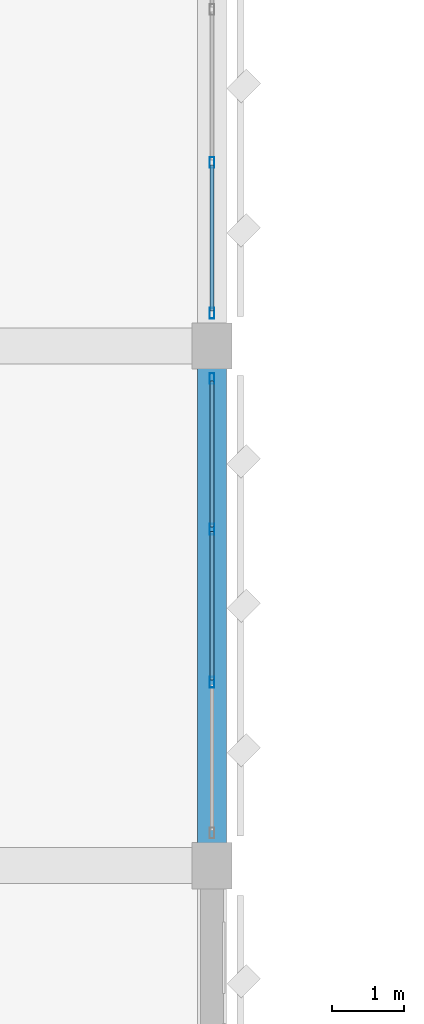
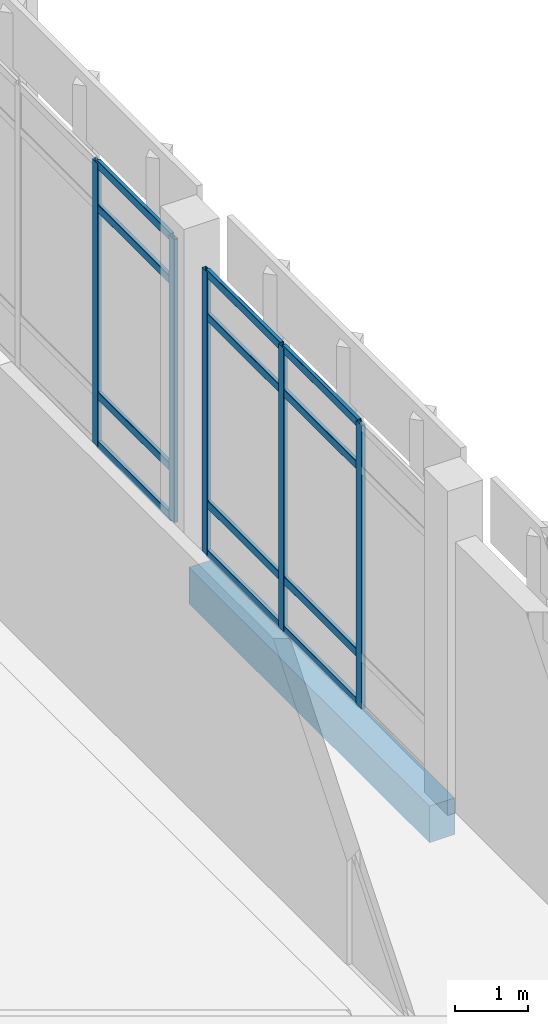
# One storey, part 55 of 180: 17 members, 1 beam, 2 elements without a shape of their own.
"""IFC4 building model written with IfcOpenShell, lengths in metres."""

import ifcopenshell
import ifcopenshell.guid

model = None  # the IFC model being written
_history = None  # IfcOwnerHistory: only IFC2X3 demands one
_inside = {}  # id of a spatial element -> (the spatial element, [elements in it])
_under = {}  # id of a project, library or spatial element -> (it, [spatial elements below it])
_declared = {}  # id of a project -> (the project, [libraries it declares])
_typed = {}  # id of a type object -> (the type object, [elements of that type])
_made_of = {}  # id of a material, layer set ... -> (it, [elements and type objects made of it])


def new_model(schema):
    """Start an empty IFC model of exactly this schema.

    Asked for "IFC4X3", IfcOpenShell would pick the latest addendum, in which some entities
    have other attributes; the version numbers below select the first issue.
    IFC2X3 requires an IfcOwnerHistory on every rooted entity: one is made here for all.
    """
    global model, _history
    if schema == "IFC4X3":
        model = ifcopenshell.file(schema_version=(4, 3, 0, 0))
    else:
        model = ifcopenshell.file(schema=schema)
    _inside.clear()
    _under.clear()
    _declared.clear()
    _typed.clear()
    _made_of.clear()
    _history = None
    if model.schema == "IFC2X3":
        org = make("IfcOrganization", Name="unknown")
        user = make(
            "IfcPersonAndOrganization",
            ThePerson=make("IfcPerson", FamilyName="unknown"),
            TheOrganization=org,
        )
        app = make(
            "IfcApplication",
            ApplicationDeveloper=org,
            Version="unknown",
            ApplicationFullName="unknown",
            ApplicationIdentifier="unknown",
        )
        _history = make(
            "IfcOwnerHistory",
            OwningUser=user,
            OwningApplication=app,
            ChangeAction="ADDED",
            CreationDate=0,
        )
    return model


def make(cls, **values):
    """One entity of the class cls with the attributes given. An attribute that is None is left unset."""
    return model.create_entity(
        cls, **{name: value for name, value in values.items() if value is not None}
    )


def rooted(cls, **values):
    """An entity with a GlobalId (a new one), such as an element, a storey or a relation."""
    return make(cls, GlobalId=ifcopenshell.guid.new(), OwnerHistory=_history, **values)


def si_unit(unit_type, name, prefix=None):
    """IfcSIUnit, for example si_unit("LENGTHUNIT", "METRE", prefix="MILLI")."""
    return make("IfcSIUnit", UnitType=unit_type, Prefix=prefix, Name=name)


def assignment(units):
    """IfcUnitAssignment: the units of a project."""
    return None if units is None else make("IfcUnitAssignment", Units=units)


def point(xyz):
    """IfcCartesianPoint."""
    return None if xyz is None else make("IfcCartesianPoint", Coordinates=xyz)


def direction(xyz):
    """IfcDirection."""
    return None if xyz is None else make("IfcDirection", DirectionRatios=xyz)


def frame(location, z_axis=None, x_axis=None):
    """IfcAxis2Placement3D, a coordinate frame: its origin and axes. An axis left out is left unset."""
    return make(
        "IfcAxis2Placement3D",
        Location=point(location),
        Axis=direction(z_axis),
        RefDirection=direction(x_axis),
    )


def frame_2d(location, x_axis=None):
    """IfcAxis2Placement2D, a coordinate frame in the plane: its origin and x axis."""
    return make(
        "IfcAxis2Placement2D", Location=point(location), RefDirection=direction(x_axis)
    )


def origin():
    """The frame at (0, 0, 0) with its axes left unset."""
    return frame((0.0, 0.0, 0.0))


def origin_2d():
    """The frame at (0, 0) in the plane with its x axis left unset."""
    return frame_2d((0.0, 0.0))


def place(relative_to, where):
    """IfcLocalPlacement: puts the frame where relative to a parent placement (None: the world)."""
    return make(
        "IfcLocalPlacement", PlacementRelTo=relative_to, RelativePlacement=where
    )


def context(
    kind, dimensions, precision=None, world=None, true_north=None, identifier=None
):
    """IfcGeometricRepresentationContext, for example the 3D "Model" context."""
    return make(
        "IfcGeometricRepresentationContext",
        ContextIdentifier=identifier,
        ContextType=kind,
        CoordinateSpaceDimension=dimensions,
        Precision=precision,
        WorldCoordinateSystem=world,
        TrueNorth=true_north,
    )


def subcontext(parent, identifier, kind, view, scale=None):
    """IfcGeometricRepresentationSubContext, for example "Body" below "Model"."""
    return make(
        "IfcGeometricRepresentationSubContext",
        ContextIdentifier=identifier,
        ContextType=kind,
        ParentContext=parent,
        TargetScale=scale,
        TargetView=view,
    )


def project(units=None, contexts=None):
    """IfcProject with its units and contexts."""
    return rooted(
        "IfcProject",
        Name="project",
        RepresentationContexts=contexts,
        UnitsInContext=assignment(units),
    )


def spatial(cls, under=None, at=None, **own):
    """A site, building, storey or space (cls), placed at a placement, below another one or the project."""
    s = rooted(cls, ObjectPlacement=at, **own)
    if under is not None:
        _under.setdefault(under.id(), (under, []))[1].append(s)
    return s


def profile(cls, at=None, kind="AREA", **sizes):
    """A parametric profile (cls). Its sizes go by their IFC names, for example OverallWidth=200.0."""
    return make(cls, ProfileType=kind, Position=at, **sizes)


def rectangle(**sizes):
    """IfcRectangleProfileDef."""
    return profile("IfcRectangleProfileDef", **sizes)


def hollow_rectangle(**sizes):
    """IfcRectangleHollowProfileDef."""
    return profile("IfcRectangleHollowProfileDef", **sizes)


def extrude(swept, where, along, depth):
    """IfcExtrudedAreaSolid: the profile swept, set in the frame where, extruded along a direction by depth."""
    return make(
        "IfcExtrudedAreaSolid",
        SweptArea=swept,
        Position=where,
        ExtrudedDirection=direction(along),
        Depth=depth,
    )


def shape(context_of_items, identifier, shape_type, items):
    """IfcShapeRepresentation: the items that make up one representation, for example the "Body"."""
    return make(
        "IfcShapeRepresentation",
        ContextOfItems=context_of_items,
        RepresentationIdentifier=identifier,
        RepresentationType=shape_type,
        Items=items,
    )


def material(Name=None, Category=None):
    """IfcMaterial."""
    return make("IfcMaterial", Name=Name, Category=Category)


def material_profile(
    of_material, cross_section, Name=None, Category=None, Priority=None
):
    """IfcMaterialProfile: a cross section and its material."""
    return make(
        "IfcMaterialProfile",
        Name=Name,
        Material=of_material,
        Profile=cross_section,
        Priority=Priority,
        Category=Category,
    )


def profile_set(profiles, Name=None, composite=None):
    """IfcMaterialProfileSet."""
    return make(
        "IfcMaterialProfileSet",
        Name=Name,
        MaterialProfiles=profiles,
        CompositeProfile=composite,
    )


def made_of(thing, what):
    """Note that an element or type object is made of a material, layer set ...; save() writes the relation."""
    if what is not None:
        _made_of.setdefault(what.id(), (what, []))[1].append(thing)
    return thing


def type_object(cls, material=None, **own):
    """A type object (cls), such as IfcWallType, which elements share."""
    return made_of(rooted(cls, **own), material)


def element(
    cls,
    number,
    at=None,
    inside=None,
    cuts=None,
    type_object=None,
    material=None,
    context=None,
    identifier="Body",
    shape_type=None,
    held_by="IfcProductDefinitionShape",
    body=None,
    shapes=None,
    **own,
):
    """One element of the class cls, such as IfcWall. Its Tag is "e" and its number.

    at: its placement. inside: the storey or other place that contains it. cuts: it is an
    opening in that element (IfcRelVoidsElement). A single representation is given by context,
    identifier, shape_type and body (its items); several are given by shapes. held_by: the class
    of the entity that holds the representations. save() writes the other relations.
    """
    e = rooted(cls, Tag="e%d" % number, ObjectPlacement=at, **own)
    if body is not None:
        shapes = [shape(context, identifier, shape_type, body)]
    if shapes is not None:
        e.Representation = make(held_by, Representations=shapes)
    if inside is not None:
        _inside.setdefault(inside.id(), (inside, []))[1].append(e)
    if cuts is not None:
        rooted(
            "IfcRelVoidsElement", RelatingBuildingElement=cuts, RelatedOpeningElement=e
        )
    if type_object is not None:
        _typed.setdefault(type_object.id(), (type_object, []))[1].append(e)
    return made_of(e, material)


def aggregate(whole, parts):
    """IfcRelAggregates: a whole, such as a stair, and the parts it consists of."""
    return rooted("IfcRelAggregates", RelatingObject=whole, RelatedObjects=parts)


def save(model, path):
    """Write the relations noted so far, then the file.

    IfcRelAggregates (storeys below a building ...), IfcRelContainedInSpatialStructure (elements
    in a storey), IfcRelDefinesByType, IfcRelAssociatesMaterial and IfcRelDeclares: one each for
    every whole, place, type object, material and project.
    """
    for whole, parts in _under.values():
        aggregate(whole, parts)
    for where, things in _inside.values():
        rooted(
            "IfcRelContainedInSpatialStructure",
            RelatedElements=things,
            RelatingStructure=where,
        )
    for kind, things in _typed.values():
        rooted("IfcRelDefinesByType", RelatedObjects=things, RelatingType=kind)
    for what, things in _made_of.values():
        rooted("IfcRelAssociatesMaterial", RelatedObjects=things, RelatingMaterial=what)
    for by, libraries in _declared.values():
        rooted("IfcRelDeclares", RelatingContext=by, RelatedDefinitions=libraries)
    model.write(path)


model = new_model("IFC4")

# Units and contexts
model_context = context("Model", 3, precision=1e-05, world=origin(), true_north=direction((0.0, 1.0)))
body_context = subcontext(model_context, "Body", "Model", "MODEL_VIEW")
ifc_project = project(units=[si_unit("LENGTHUNIT", "METRE"), si_unit("AREAUNIT", "SQUARE_METRE"), si_unit("VOLUMEUNIT", "CUBIC_METRE"), si_unit("PLANEANGLEUNIT", "RADIAN"), si_unit("MASSUNIT", "GRAM", prefix="KILO")], contexts=[model_context])

# Site, building, storey
site_placement = place(None, origin())
site = spatial("IfcSite", under=ifc_project, at=site_placement, CompositionType="ELEMENT")
building_placement = place(site_placement, origin())
building = spatial("IfcBuilding", under=site, at=building_placement, Name="Lusvemor Sports Hall", CompositionType="ELEMENT")
storey_placement = place(building_placement, frame((0.0, 0.0, 5.39990234375)))
storey = spatial("IfcBuildingStorey", under=building, at=storey_placement, Name="L01", CompositionType="ELEMENT", Elevation=5.39990234375)

# Curtain wall, members
ifc_material_1 = material(Name="Thermally broken bronze-anodized aluminium", Category="aluminium")
curtain_wall_type = type_object("IfcCurtainWallType", Name="CW_WING_B", PredefinedType="NOTDEFINED", material=ifc_material_1)
curtain_wall_1_placement = place(storey_placement, origin())
curtain_wall_1 = element("IfcCurtainWall", 1, at=curtain_wall_1_placement, inside=storey, type_object=curtain_wall_type, Name="Curtain Wall CW-L01-E-4-2", PredefinedType="NOTDEFINED")
ifc_material_2 = material(Name="Thermally broken bronze-anodized aluminium", Category="aluminium")
ifc_material_profile_1 = material_profile(ifc_material_2, hollow_rectangle(XDim=0.06494140625, YDim=0.14990234375, WallThickness=0.00390625, InnerFilletRadius=0.00390625, OuterFilletRadius=0.008056640625, at=origin_2d()), Name="CWMUL150x65x4")
ifc_profile_set_1 = profile_set([ifc_material_profile_1], Name="Thermally broken bronze-anodized aluminium")
member_type_1 = type_object("IfcMemberType", Name="CW_MUL_B", PredefinedType="MULLION", material=ifc_profile_set_1)
member_1_placement = place(storey_placement, frame((21.60009765625, 67.947509765625, 0.0), z_axis=(0.0, 0.0, 1.0), x_axis=(1.0, 0.0, 0.0)))
member_1 = element("IfcMember", 2, at=member_1_placement, type_object=member_type_1, Name="CW02 mullion 1", PredefinedType="MULLION", context=body_context, shape_type="SweptSolid", body=[
    extrude(hollow_rectangle(XDim=0.06494140625, YDim=0.14990234375, WallThickness=0.00390625, InnerFilletRadius=0.00390625, OuterFilletRadius=0.008056640625, at=origin_2d()), origin(), (0.0, 0.0, 1.0), 4.72021484375),
])
member_2_placement = place(storey_placement, frame((21.60009765625, 65.860107421875, 0.0), z_axis=(0.0, 0.0, 1.0), x_axis=(1.0, 0.0, 0.0)))
member_2 = element("IfcMember", 3, at=member_2_placement, type_object=member_type_1, Name="CW02 mullion 2", PredefinedType="MULLION", context=body_context, shape_type="SweptSolid", body=[
    extrude(hollow_rectangle(XDim=0.06494140625, YDim=0.14990234375, WallThickness=0.00390625, InnerFilletRadius=0.00390625, OuterFilletRadius=0.008056640625, at=origin_2d()), origin(), (0.0, 0.0, 1.0), 4.72021484375),
])
member_3_placement = place(storey_placement, frame((21.60009765625, 63.739990234375, 0.0), z_axis=(0.0, 0.0, 1.0), x_axis=(1.0, 0.0, 0.0)))
member_3 = element("IfcMember", 4, at=member_3_placement, type_object=member_type_1, Name="CW02 mullion 3", PredefinedType="MULLION", context=body_context, shape_type="SweptSolid", body=[
    extrude(hollow_rectangle(XDim=0.06494140625, YDim=0.14990234375, WallThickness=0.00390625, InnerFilletRadius=0.00390625, OuterFilletRadius=0.008056640625, at=origin_2d()), origin(), (0.0, 0.0, 1.0), 4.72021484375),
])

curtain_wall_2_placement = place(storey_placement, origin())
curtain_wall_2 = element("IfcCurtainWall", 5, at=curtain_wall_2_placement, inside=storey, type_object=curtain_wall_type, Name="Curtain Wall CW-L01-E-4-3", PredefinedType="NOTDEFINED")
member_4_placement = place(storey_placement, frame((21.60009765625, 70.93994140625, 0.0), z_axis=(0.0, 0.0, 1.0), x_axis=(1.0, 0.0, 0.0)))
member_4 = element("IfcMember", 6, at=member_4_placement, type_object=member_type_1, Name="CW02 mullion 3", PredefinedType="MULLION", context=body_context, shape_type="SweptSolid", body=[
    extrude(hollow_rectangle(XDim=0.06494140625, YDim=0.14990234375, WallThickness=0.00390625, InnerFilletRadius=0.00390625, OuterFilletRadius=0.008056640625, at=origin_2d()), origin(), (0.0, 0.0, 1.0), 4.72021484375),
])
member_5_placement = place(storey_placement, frame((21.60009765625, 68.8525390625, 0.0), z_axis=(0.0, 0.0, 1.0), x_axis=(1.0, 0.0, 0.0)))
member_5 = element("IfcMember", 7, at=member_5_placement, type_object=member_type_1, Name="CW02 mullion 4", PredefinedType="MULLION", context=body_context, shape_type="SweptSolid", body=[
    extrude(hollow_rectangle(XDim=0.06494140625, YDim=0.14990234375, WallThickness=0.00390625, InnerFilletRadius=0.00390625, OuterFilletRadius=0.008056640625, at=origin_2d()), origin(), (0.0, 0.0, 1.0), 4.72021484375),
])

# Member
ifc_material_3 = material(Name="Thermally broken bronze-anodized aluminium", Category="aluminium")
ifc_material_profile_2 = material_profile(ifc_material_3, hollow_rectangle(XDim=0.06005859375, YDim=0.135009765625, WallThickness=0.00390625, InnerFilletRadius=0.00390625, OuterFilletRadius=0.008056640625, at=origin_2d()), Name="CWTRN135x60x4")
ifc_profile_set_2 = profile_set([ifc_material_profile_2], Name="Thermally broken bronze-anodized aluminium")
member_type_2 = type_object("IfcMemberType", Name="CW_TRN_B", PredefinedType="USERDEFINED", material=ifc_profile_set_2)
member_6_placement = place(storey_placement, frame((21.60009765625, 67.9150390625, 0.030029296875), z_axis=(0.0, -1.0, 0.0), x_axis=(1.0, 0.0, 0.0)))
member_6 = element("IfcMember", 8, at=member_6_placement, type_object=member_type_2, Name="CW02 transom 1.1", ObjectType="TRANSOM", PredefinedType="USERDEFINED", context=body_context, shape_type="SweptSolid", body=[
    extrude(hollow_rectangle(XDim=0.06005859375, YDim=0.135009765625, WallThickness=0.00390625, InnerFilletRadius=0.00390625, OuterFilletRadius=0.008056640625, at=origin_2d()), origin(), (0.0, 0.0, 1.0), 2.0224609375),
])

member_7_placement = place(storey_placement, frame((21.60009765625, 67.9150390625, 0.85009765625), z_axis=(0.0, -1.0, 0.0), x_axis=(1.0, 0.0, 0.0)))
member_7 = element("IfcMember", 9, at=member_7_placement, type_object=member_type_2, Name="CW02 transom 1.2", ObjectType="TRANSOM", PredefinedType="USERDEFINED", context=body_context, shape_type="SweptSolid", body=[
    extrude(hollow_rectangle(XDim=0.06005859375, YDim=0.135009765625, WallThickness=0.00390625, InnerFilletRadius=0.00390625, OuterFilletRadius=0.008056640625, at=origin_2d()), origin(), (0.0, 0.0, 1.0), 2.0224609375),
])

member_8_placement = place(storey_placement, frame((21.60009765625, 67.9150390625, 3.97021484375), z_axis=(0.0, -1.0, 0.0), x_axis=(1.0, 0.0, 0.0)))
member_8 = element("IfcMember", 10, at=member_8_placement, type_object=member_type_2, Name="CW02 transom 1.3", ObjectType="TRANSOM", PredefinedType="USERDEFINED", context=body_context, shape_type="SweptSolid", body=[
    extrude(hollow_rectangle(XDim=0.06005859375, YDim=0.135009765625, WallThickness=0.00390625, InnerFilletRadius=0.00390625, OuterFilletRadius=0.008056640625, at=origin_2d()), origin(), (0.0, 0.0, 1.0), 2.0224609375),
])

member_9_placement = place(storey_placement, frame((21.60009765625, 67.9150390625, 4.690185546875), z_axis=(0.0, -1.0, 0.0), x_axis=(1.0, 0.0, 0.0)))
member_9 = element("IfcMember", 11, at=member_9_placement, type_object=member_type_2, Name="CW02 transom 1.4", ObjectType="TRANSOM", PredefinedType="USERDEFINED", context=body_context, shape_type="SweptSolid", body=[
    extrude(hollow_rectangle(XDim=0.06005859375, YDim=0.135009765625, WallThickness=0.00390625, InnerFilletRadius=0.00390625, OuterFilletRadius=0.008056640625, at=origin_2d()), origin(), (0.0, 0.0, 1.0), 2.0224609375),
])

member_10_placement = place(storey_placement, frame((21.60009765625, 65.827392578125, 0.030029296875), z_axis=(0.0, -1.0, 0.0), x_axis=(1.0, 0.0, 0.0)))
member_10 = element("IfcMember", 12, at=member_10_placement, type_object=member_type_2, Name="CW02 transom 2.1", ObjectType="TRANSOM", PredefinedType="USERDEFINED", context=body_context, shape_type="SweptSolid", body=[
    extrude(hollow_rectangle(XDim=0.06005859375, YDim=0.135009765625, WallThickness=0.00390625, InnerFilletRadius=0.00390625, OuterFilletRadius=0.008056640625, at=origin_2d()), origin(), (0.0, 0.0, 1.0), 2.054931640625),
])

member_11_placement = place(storey_placement, frame((21.60009765625, 65.827392578125, 0.85009765625), z_axis=(0.0, -1.0, 0.0), x_axis=(1.0, 0.0, 0.0)))
member_11 = element("IfcMember", 13, at=member_11_placement, type_object=member_type_2, Name="CW02 transom 2.2", ObjectType="TRANSOM", PredefinedType="USERDEFINED", context=body_context, shape_type="SweptSolid", body=[
    extrude(hollow_rectangle(XDim=0.06005859375, YDim=0.135009765625, WallThickness=0.00390625, InnerFilletRadius=0.00390625, OuterFilletRadius=0.008056640625, at=origin_2d()), origin(), (0.0, 0.0, 1.0), 2.054931640625),
])

member_12_placement = place(storey_placement, frame((21.60009765625, 65.827392578125, 3.97021484375), z_axis=(0.0, -1.0, 0.0), x_axis=(1.0, 0.0, 0.0)))
member_12 = element("IfcMember", 14, at=member_12_placement, type_object=member_type_2, Name="CW02 transom 2.3", ObjectType="TRANSOM", PredefinedType="USERDEFINED", context=body_context, shape_type="SweptSolid", body=[
    extrude(hollow_rectangle(XDim=0.06005859375, YDim=0.135009765625, WallThickness=0.00390625, InnerFilletRadius=0.00390625, OuterFilletRadius=0.008056640625, at=origin_2d()), origin(), (0.0, 0.0, 1.0), 2.054931640625),
])

member_13_placement = place(storey_placement, frame((21.60009765625, 65.827392578125, 4.690185546875), z_axis=(0.0, -1.0, 0.0), x_axis=(1.0, 0.0, 0.0)))
member_13 = element("IfcMember", 15, at=member_13_placement, type_object=member_type_2, Name="CW02 transom 2.4", ObjectType="TRANSOM", PredefinedType="USERDEFINED", context=body_context, shape_type="SweptSolid", body=[
    extrude(hollow_rectangle(XDim=0.06005859375, YDim=0.135009765625, WallThickness=0.00390625, InnerFilletRadius=0.00390625, OuterFilletRadius=0.008056640625, at=origin_2d()), origin(), (0.0, 0.0, 1.0), 2.054931640625),
])

aggregate(curtain_wall_1, [member_1, member_2, member_3, member_6, member_7, member_8, member_9, member_10, member_11, member_12, member_13])

member_14_placement = place(storey_placement, frame((21.60009765625, 70.907470703125, 0.030029296875), z_axis=(0.0, -1.0, 0.0), x_axis=(1.0, 0.0, 0.0)))
member_14 = element("IfcMember", 16, at=member_14_placement, type_object=member_type_2, Name="CW02 transom 3.1", ObjectType="TRANSOM", PredefinedType="USERDEFINED", context=body_context, shape_type="SweptSolid", body=[
    extrude(hollow_rectangle(XDim=0.06005859375, YDim=0.135009765625, WallThickness=0.00390625, InnerFilletRadius=0.00390625, OuterFilletRadius=0.008056640625, at=origin_2d()), origin(), (0.0, 0.0, 1.0), 2.0224609375),
])

member_15_placement = place(storey_placement, frame((21.60009765625, 70.907470703125, 0.85009765625), z_axis=(0.0, -1.0, 0.0), x_axis=(1.0, 0.0, 0.0)))
member_15 = element("IfcMember", 17, at=member_15_placement, type_object=member_type_2, Name="CW02 transom 3.2", ObjectType="TRANSOM", PredefinedType="USERDEFINED", context=body_context, shape_type="SweptSolid", body=[
    extrude(hollow_rectangle(XDim=0.06005859375, YDim=0.135009765625, WallThickness=0.00390625, InnerFilletRadius=0.00390625, OuterFilletRadius=0.008056640625, at=origin_2d()), origin(), (0.0, 0.0, 1.0), 2.0224609375),
])

member_16_placement = place(storey_placement, frame((21.60009765625, 70.907470703125, 3.97021484375), z_axis=(0.0, -1.0, 0.0), x_axis=(1.0, 0.0, 0.0)))
member_16 = element("IfcMember", 18, at=member_16_placement, type_object=member_type_2, Name="CW02 transom 3.3", ObjectType="TRANSOM", PredefinedType="USERDEFINED", context=body_context, shape_type="SweptSolid", body=[
    extrude(hollow_rectangle(XDim=0.06005859375, YDim=0.135009765625, WallThickness=0.00390625, InnerFilletRadius=0.00390625, OuterFilletRadius=0.008056640625, at=origin_2d()), origin(), (0.0, 0.0, 1.0), 2.0224609375),
])

member_17_placement = place(storey_placement, frame((21.60009765625, 70.907470703125, 4.690185546875), z_axis=(0.0, -1.0, 0.0), x_axis=(1.0, 0.0, 0.0)))
member_17 = element("IfcMember", 19, at=member_17_placement, type_object=member_type_2, Name="CW02 transom 3.4", ObjectType="TRANSOM", PredefinedType="USERDEFINED", context=body_context, shape_type="SweptSolid", body=[
    extrude(hollow_rectangle(XDim=0.06005859375, YDim=0.135009765625, WallThickness=0.00390625, InnerFilletRadius=0.00390625, OuterFilletRadius=0.008056640625, at=origin_2d()), origin(), (0.0, 0.0, 1.0), 2.0224609375),
])

aggregate(curtain_wall_2, [member_4, member_5, member_14, member_15, member_16, member_17])

# Beam
ifc_material_4 = material(Name="Concrete C40/50", Category="concrete")
ifc_material_profile_3 = material_profile(ifc_material_4, rectangle(XDim=0.39990234375, YDim=0.610107421875, at=origin_2d()), Name="RC400x610")
ifc_profile_set_3 = profile_set([ifc_material_profile_3], Name="Concrete C40/50")
beam_type = type_object("IfcBeamType", Name="SPAND_EXT_650", PredefinedType="SPANDREL", material=ifc_profile_set_3)
beam_placement = place(storey_placement, frame((21.60009765625, 61.51611328125, -0.56494140625), z_axis=(0.0, 1.0, 0.0), x_axis=(-1.0, 0.0, 0.0)))
element("IfcBeam", 20, at=beam_placement, inside=storey, type_object=beam_type, Name="Beam L01 3:H-J", PredefinedType="SPANDREL", context=body_context, shape_type="SweptSolid", body=[
    extrude(rectangle(XDim=0.39990234375, YDim=0.610107421875, at=origin_2d()), origin(), (0.0, 0.0, 1.0), 6.56787109375),
])

save(model, "model.ifc")
